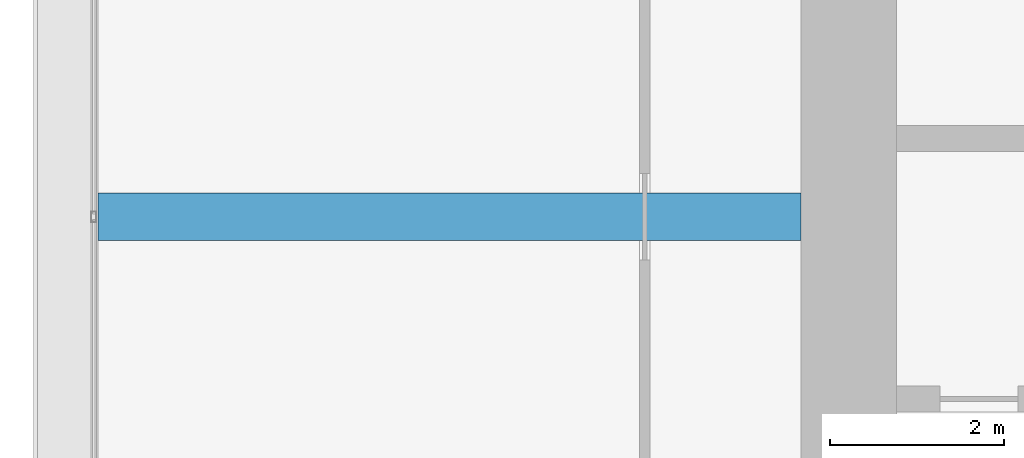
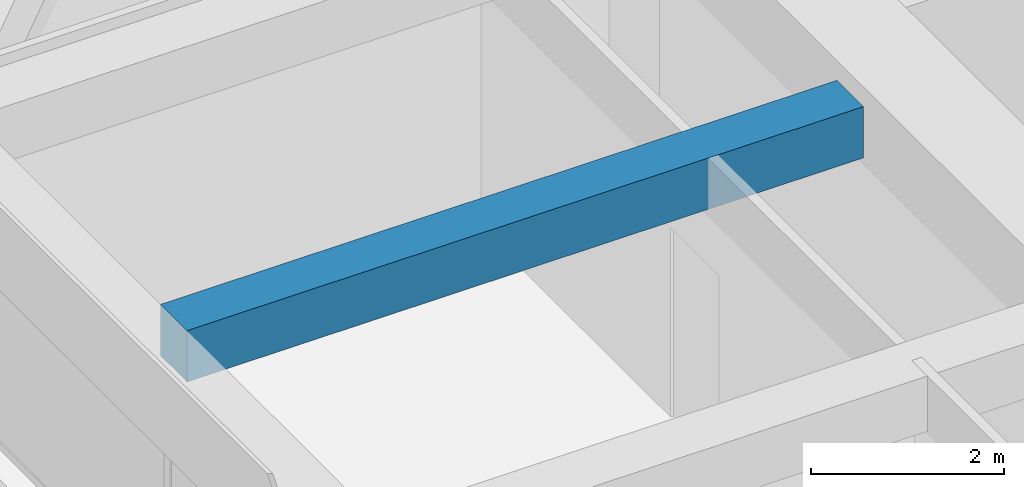
# One storey, part 17 of 45: 1 beam.
"""IFC4 building model written with IfcOpenShell, lengths in metres."""

from ifc_helpers import new_model, si_unit, direction, frame, origin, origin_2d, place, context, subcontext, project, spatial, rectangle, extrude, material, material_profile, profile_set, type_object, element, save


model = new_model("IFC4")

# Units and contexts
model_context = context("Model", 3, precision=1e-05, world=origin(), true_north=direction((0.0, 1.0)))
body_context = subcontext(model_context, "Body", "Model", "MODEL_VIEW")
ifc_project = project(units=[si_unit("LENGTHUNIT", "METRE"), si_unit("AREAUNIT", "SQUARE_METRE"), si_unit("VOLUMEUNIT", "CUBIC_METRE"), si_unit("PLANEANGLEUNIT", "RADIAN"), si_unit("MASSUNIT", "GRAM", prefix="KILO")], contexts=[model_context])

# Site, building, storey
site_placement = place(None, origin())
site = spatial("IfcSite", under=ifc_project, at=site_placement, CompositionType="ELEMENT")
building_placement = place(site_placement, origin())
building = spatial("IfcBuilding", under=site, at=building_placement, Name="Zorevar Civic Tower", CompositionType="ELEMENT")
storey_placement = place(building_placement, frame((0.0, 0.0, 303.39990234375)))
storey = spatial("IfcBuildingStorey", under=building, at=storey_placement, Name="L74", CompositionType="ELEMENT", Elevation=303.39990234375)

# Beam
ifc_material = material(Name="Concrete C50/60", Category="concrete")
ifc_material_profile = material_profile(ifc_material, rectangle(XDim=0.550048828125, YDim=0.64990234375, at=origin_2d()), Name="RC 550x650")
ifc_profile_set = profile_set([ifc_material_profile], Name="Concrete C50/60")
beam_type = type_object("IfcBeamType", Name="Beam RC 550x650", PredefinedType="BEAM", material=ifc_profile_set)
beam_placement = place(storey_placement, frame((9.35009765625, 31.5, 3.425048828125), z_axis=(1.0, 0.0, 0.0), x_axis=(0.0, 1.0, 0.0)))
element("IfcBeam", 1, at=beam_placement, inside=storey, type_object=beam_type, Name="Secondary beam L75", PredefinedType="BEAM", context=body_context, shape_type="SweptSolid", body=[
    extrude(rectangle(XDim=0.550048828125, YDim=0.64990234375, at=origin_2d()), origin(), (0.0, 0.0, 1.0), 8.099853515625),
])

save(model, "model.ifc")
